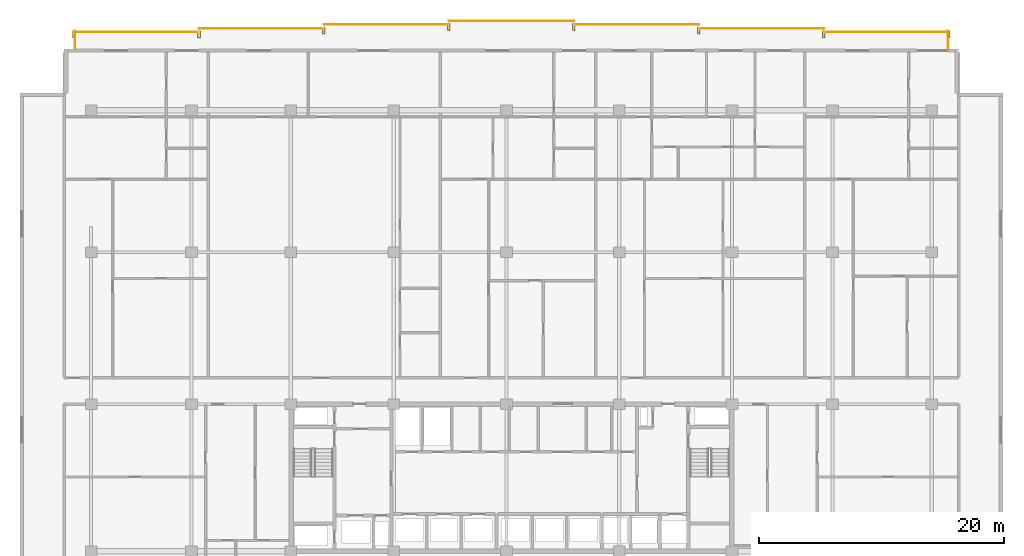
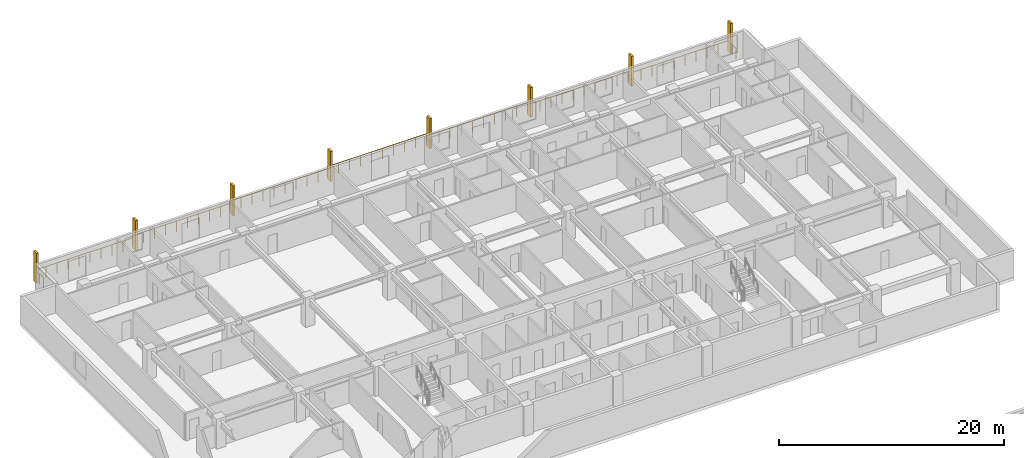
# One storey, part 22 of 22: 9 railings, 8 shading devices.
"""IFC4 building model written with IfcOpenShell, lengths in metres."""

from ifc_helpers import new_model, si_unit, direction, frame, origin, origin_2d, place, context, subcontext, project, spatial, rectangle, circle, extrude, material, type_object, element, save


model = new_model("IFC4")

# Units and contexts
model_context = context("Model", 3, precision=1e-05, world=origin(), true_north=direction((0.0, 1.0)))
body_context = subcontext(model_context, "Body", "Model", "MODEL_VIEW")
ifc_project = project(units=[si_unit("LENGTHUNIT", "METRE"), si_unit("AREAUNIT", "SQUARE_METRE"), si_unit("VOLUMEUNIT", "CUBIC_METRE"), si_unit("PLANEANGLEUNIT", "RADIAN"), si_unit("MASSUNIT", "GRAM", prefix="KILO")], contexts=[model_context])

# Site, building, storey
site_placement = place(None, origin())
site = spatial("IfcSite", under=ifc_project, at=site_placement, CompositionType="ELEMENT")
building_placement = place(site_placement, origin())
building = spatial("IfcBuilding", under=site, at=building_placement, Name="Korimba Cascade Residences", CompositionType="ELEMENT")
storey_placement = place(building_placement, frame((0.0, 0.0, 80.800048828125)))
storey = spatial("IfcBuildingStorey", under=building, at=storey_placement, Name="L22", CompositionType="ELEMENT", Elevation=80.800048828125)

# Railings
ifc_material_1 = material(Name="Laminated Glass and Bronze Balustrade", Category="glass")
railing_type = type_object("IfcRailingType", Name="RLG-LOG-1150", PredefinedType="BALUSTRADE", material=ifc_material_1)
railing_1_placement = place(storey_placement, frame((129.719970703125, 96.199951171875, 0.0)))
element("IfcRailing", 1, at=railing_1_placement, inside=storey, type_object=railing_type, Name="L22 Perimeter Guardrail RLG-L22-T1-LOG-01", PredefinedType="BALUSTRADE", context=body_context, shape_type="SweptSolid", body=[
    extrude(circle(Radius=0.02392578125, at=origin_2d()), frame((0.0, 0.0, 1.1259765625), z_axis=(0.0, 1.0, 0.0), x_axis=(-1.0, 0.0, 0.0)), (0.0, 0.0, 1.0), 1.449951171875),
    extrude(circle(Radius=0.02099609375, at=origin_2d()), origin(), (0.0, 0.0, 1.0), 1.101806640625),
    extrude(circle(Radius=0.02099609375, at=origin_2d()), frame((0.0, 0.72509765625, 0.0)), (0.0, 0.0, 1.0), 1.101806640625),
    extrude(circle(Radius=0.02099609375, at=origin_2d()), frame((0.0, 1.449951171875, 0.0)), (0.0, 0.0, 1.0), 1.101806640625),
])
railing_2_placement = place(storey_placement, frame((129.800048828125, 97.570068359375, 0.0)))
element("IfcRailing", 2, at=railing_2_placement, inside=storey, type_object=railing_type, Name="L22 Perimeter Guardrail RLG-L22-T1-LOG-02", PredefinedType="BALUSTRADE", context=body_context, shape_type="SweptSolid", body=[
    extrude(circle(Radius=0.02392578125, at=origin_2d()), frame((0.0, 0.0, 1.1259765625), z_axis=(-1.0, 0.0, 0.0), x_axis=(0.0, -1.0, 0.0)), (0.0, 0.0, 1.0), 10.199951171875),
    extrude(circle(Radius=0.02099609375, at=origin_2d()), origin(), (0.0, 0.0, 1.0), 1.101806640625),
    extrude(circle(Radius=0.02099609375, at=origin_2d()), frame((-1.13330078125, 0.0, 0.0)), (0.0, 0.0, 1.0), 1.101806640625),
    extrude(circle(Radius=0.02099609375, at=origin_2d()), frame((-2.2666015625, 0.0, 0.0)), (0.0, 0.0, 1.0), 1.101806640625),
    extrude(circle(Radius=0.02099609375, at=origin_2d()), frame((-3.39990234375, 0.0, 0.0)), (0.0, 0.0, 1.0), 1.101806640625),
    extrude(circle(Radius=0.02099609375, at=origin_2d()), frame((-4.533203125, 0.0, 0.0)), (0.0, 0.0, 1.0), 1.101806640625),
    extrude(circle(Radius=0.02099609375, at=origin_2d()), frame((-5.666748046875, 0.0, 0.0)), (0.0, 0.0, 1.0), 1.101806640625),
    extrude(circle(Radius=0.02099609375, at=origin_2d()), frame((-6.800048828125, 0.0, 0.0)), (0.0, 0.0, 1.0), 1.101806640625),
    extrude(circle(Radius=0.02099609375, at=origin_2d()), frame((-7.933349609375, 0.0, 0.0)), (0.0, 0.0, 1.0), 1.101806640625),
    extrude(circle(Radius=0.02099609375, at=origin_2d()), frame((-9.066650390625, 0.0, 0.0)), (0.0, 0.0, 1.0), 1.101806640625),
    extrude(circle(Radius=0.02099609375, at=origin_2d()), frame((-10.199951171875, 0.0, 0.0)), (0.0, 0.0, 1.0), 1.101806640625),
])
railing_3_placement = place(storey_placement, frame((119.60009765625, 97.8701171875, 0.0)))
element("IfcRailing", 3, at=railing_3_placement, inside=storey, type_object=railing_type, Name="L22 Perimeter Guardrail RLG-L22-T1-LOG-03", PredefinedType="BALUSTRADE", context=body_context, shape_type="SweptSolid", body=[
    extrude(circle(Radius=0.02392578125, at=origin_2d()), frame((0.0, 0.0, 1.1259765625), z_axis=(-1.0, 0.0, 0.0), x_axis=(0.0, -1.0, 0.0)), (0.0, 0.0, 1.0), 10.2001953125),
    extrude(circle(Radius=0.02099609375, at=origin_2d()), origin(), (0.0, 0.0, 1.0), 1.101806640625),
    extrude(circle(Radius=0.02099609375, at=origin_2d()), frame((-1.13330078125, 0.0, 0.0)), (0.0, 0.0, 1.0), 1.101806640625),
    extrude(circle(Radius=0.02099609375, at=origin_2d()), frame((-2.2666015625, 0.0, 0.0)), (0.0, 0.0, 1.0), 1.101806640625),
    extrude(circle(Radius=0.02099609375, at=origin_2d()), frame((-3.400146484375, 0.0, 0.0)), (0.0, 0.0, 1.0), 1.101806640625),
    extrude(circle(Radius=0.02099609375, at=origin_2d()), frame((-4.533447265625, 0.0, 0.0)), (0.0, 0.0, 1.0), 1.101806640625),
    extrude(circle(Radius=0.02099609375, at=origin_2d()), frame((-5.666748046875, 0.0, 0.0)), (0.0, 0.0, 1.0), 1.101806640625),
    extrude(circle(Radius=0.02099609375, at=origin_2d()), frame((-6.800048828125, 0.0, 0.0)), (0.0, 0.0, 1.0), 1.101806640625),
    extrude(circle(Radius=0.02099609375, at=origin_2d()), frame((-7.93359375, 0.0, 0.0)), (0.0, 0.0, 1.0), 1.101806640625),
    extrude(circle(Radius=0.02099609375, at=origin_2d()), frame((-9.06689453125, 0.0, 0.0)), (0.0, 0.0, 1.0), 1.101806640625),
    extrude(circle(Radius=0.02099609375, at=origin_2d()), frame((-10.2001953125, 0.0, 0.0)), (0.0, 0.0, 1.0), 1.101806640625),
])
for number, where, name in (
    (4, (109.39990234375, 98.169921875, 0.0), "L22 Perimeter Guardrail RLG-L22-T1-LOG-04"),
    (5, (99.199951171875, 98.469970703125, 0.0), "L22 Perimeter Guardrail RLG-L22-T1-LOG-05"),
    (6, (89.0, 98.169921875, 0.0), "L22 Perimeter Guardrail RLG-L22-T1-LOG-06"),
    (7, (78.800048828125, 97.8701171875, 0.0), "L22 Perimeter Guardrail RLG-L22-T1-LOG-07"),
):
    element("IfcRailing", number, at=place(storey_placement, frame(where)), inside=storey, type_object=railing_type, Name=name, PredefinedType="BALUSTRADE", context=body_context, shape_type="SweptSolid", body=[
        extrude(circle(Radius=0.02392578125, at=origin_2d()), frame((0.0, 0.0, 1.1259765625), z_axis=(-1.0, 0.0, 0.0), x_axis=(0.0, -1.0, 0.0)), (0.0, 0.0, 1.0), 10.199951171875),
        extrude(circle(Radius=0.02099609375, at=origin_2d()), origin(), (0.0, 0.0, 1.0), 1.101806640625),
        extrude(circle(Radius=0.02099609375, at=origin_2d()), frame((-1.13330078125, 0.0, 0.0)), (0.0, 0.0, 1.0), 1.101806640625),
        extrude(circle(Radius=0.02099609375, at=origin_2d()), frame((-2.2666015625, 0.0, 0.0)), (0.0, 0.0, 1.0), 1.101806640625),
        extrude(circle(Radius=0.02099609375, at=origin_2d()), frame((-3.39990234375, 0.0, 0.0)), (0.0, 0.0, 1.0), 1.101806640625),
        extrude(circle(Radius=0.02099609375, at=origin_2d()), frame((-4.533203125, 0.0, 0.0)), (0.0, 0.0, 1.0), 1.101806640625),
        extrude(circle(Radius=0.02099609375, at=origin_2d()), frame((-5.666748046875, 0.0, 0.0)), (0.0, 0.0, 1.0), 1.101806640625),
        extrude(circle(Radius=0.02099609375, at=origin_2d()), frame((-6.800048828125, 0.0, 0.0)), (0.0, 0.0, 1.0), 1.101806640625),
        extrude(circle(Radius=0.02099609375, at=origin_2d()), frame((-7.933349609375, 0.0, 0.0)), (0.0, 0.0, 1.0), 1.101806640625),
        extrude(circle(Radius=0.02099609375, at=origin_2d()), frame((-9.066650390625, 0.0, 0.0)), (0.0, 0.0, 1.0), 1.101806640625),
        extrude(circle(Radius=0.02099609375, at=origin_2d()), frame((-10.199951171875, 0.0, 0.0)), (0.0, 0.0, 1.0), 1.101806640625),
    ])
railing_4_placement = place(storey_placement, frame((68.60009765625, 97.570068359375, 0.0)))
element("IfcRailing", 8, at=railing_4_placement, inside=storey, type_object=railing_type, Name="L22 Perimeter Guardrail RLG-L22-T1-LOG-08", PredefinedType="BALUSTRADE", context=body_context, shape_type="SweptSolid", body=[
    extrude(circle(Radius=0.02392578125, at=origin_2d()), frame((0.0, 0.0, 1.1259765625), z_axis=(-1.0, 0.0, 0.0), x_axis=(0.0, -1.0, 0.0)), (0.0, 0.0, 1.0), 10.2001953125),
    extrude(circle(Radius=0.02099609375, at=origin_2d()), origin(), (0.0, 0.0, 1.0), 1.101806640625),
    extrude(circle(Radius=0.02099609375, at=origin_2d()), frame((-1.13330078125, 0.0, 0.0)), (0.0, 0.0, 1.0), 1.101806640625),
    extrude(circle(Radius=0.02099609375, at=origin_2d()), frame((-2.2666015625, 0.0, 0.0)), (0.0, 0.0, 1.0), 1.101806640625),
    extrude(circle(Radius=0.02099609375, at=origin_2d()), frame((-3.400146484375, 0.0, 0.0)), (0.0, 0.0, 1.0), 1.101806640625),
    extrude(circle(Radius=0.02099609375, at=origin_2d()), frame((-4.533447265625, 0.0, 0.0)), (0.0, 0.0, 1.0), 1.101806640625),
    extrude(circle(Radius=0.02099609375, at=origin_2d()), frame((-5.666748046875, 0.0, 0.0)), (0.0, 0.0, 1.0), 1.101806640625),
    extrude(circle(Radius=0.02099609375, at=origin_2d()), frame((-6.800048828125, 0.0, 0.0)), (0.0, 0.0, 1.0), 1.101806640625),
    extrude(circle(Radius=0.02099609375, at=origin_2d()), frame((-7.93359375, 0.0, 0.0)), (0.0, 0.0, 1.0), 1.101806640625),
    extrude(circle(Radius=0.02099609375, at=origin_2d()), frame((-9.06689453125, 0.0, 0.0)), (0.0, 0.0, 1.0), 1.101806640625),
    extrude(circle(Radius=0.02099609375, at=origin_2d()), frame((-10.2001953125, 0.0, 0.0)), (0.0, 0.0, 1.0), 1.101806640625),
])
railing_5_placement = place(storey_placement, frame((58.47998046875, 97.64990234375, 0.0)))
element("IfcRailing", 9, at=railing_5_placement, inside=storey, type_object=railing_type, Name="L22 Perimeter Guardrail RLG-L22-T1-LOG-09", PredefinedType="BALUSTRADE", context=body_context, shape_type="SweptSolid", body=[
    extrude(circle(Radius=0.02392578125, at=origin_2d()), frame((0.0, 0.0, 1.1259765625), z_axis=(0.0, -1.0, 0.0), x_axis=(1.0, 0.0, 0.0)), (0.0, 0.0, 1.0), 1.449951171875),
    extrude(circle(Radius=0.02099609375, at=origin_2d()), origin(), (0.0, 0.0, 1.0), 1.101806640625),
    extrude(circle(Radius=0.02099609375, at=origin_2d()), frame((0.0, -0.72509765625, 0.0)), (0.0, 0.0, 1.0), 1.101806640625),
    extrude(circle(Radius=0.02099609375, at=origin_2d()), frame((0.0, -1.449951171875, 0.0)), (0.0, 0.0, 1.0), 1.101806640625),
])

# Shading devices
ifc_material_2 = material(Name="Honed Sandstone Precast Fin", Category="masonry")
shading_device_type = type_object("IfcShadingDeviceType", Name="SHD-FIN-550", PredefinedType="USERDEFINED", material=ifc_material_2)
for number, where, z_axis, x_axis, name in (
    (10, (58.39990234375, 97.375, 0.0), (0.0, 0.0, 1.0), (1.0, 0.0, 0.0), "L22 T1 Warm-Stone Loggia Fin 1"),
    (11, (68.60009765625, 97.375, 0.0), (0.0, 0.0, 1.0), (1.0, 0.0, 0.0), "L22 T1 Warm-Stone Loggia Fin 2"),
    (12, (78.800048828125, 97.675048828125, 0.0), (0.0, 0.0, 1.0), (1.0, 0.0, 0.0), "L22 T1 Warm-Stone Loggia Fin 3"),
    (13, (89.0, 97.97509765625, 0.0), (0.0, 0.0, 1.0), (1.0, 0.0, 0.0), "L22 T1 Warm-Stone Loggia Fin 4"),
    (14, (99.199951171875, 97.97509765625, 0.0), (0.0, 0.0, 1.0), (1.0, 0.0, 0.0), "L22 T1 Warm-Stone Loggia Fin 5"),
    (15, (109.39990234375, 97.675048828125, 0.0), (0.0, 0.0, 1.0), (1.0, 0.0, 0.0), "L22 T1 Warm-Stone Loggia Fin 6"),
    (16, (119.60009765625, 97.375, 0.0), (0.0, 0.0, 1.0), (1.0, 0.0, 0.0), "L22 T1 Warm-Stone Loggia Fin 7"),
    (17, (129.800048828125, 97.375, 0.0), (0.0, 0.0, 1.0), (1.0, 0.0, 0.0), "L22 T1 Warm-Stone Loggia Fin 8"),
):
    element("IfcShadingDevice", number, at=place(storey_placement, frame(where, z_axis=z_axis, x_axis=x_axis)), inside=storey, type_object=shading_device_type, Name=name, ObjectType="FIN", PredefinedType="USERDEFINED", context=body_context, shape_type="SweptSolid", body=[
        extrude(rectangle(XDim=0.219970703125, YDim=0.550048828125, at=origin_2d()), origin(), (0.0, 0.0, 1.0), 3.25),
    ])

save(model, "model.ifc")
